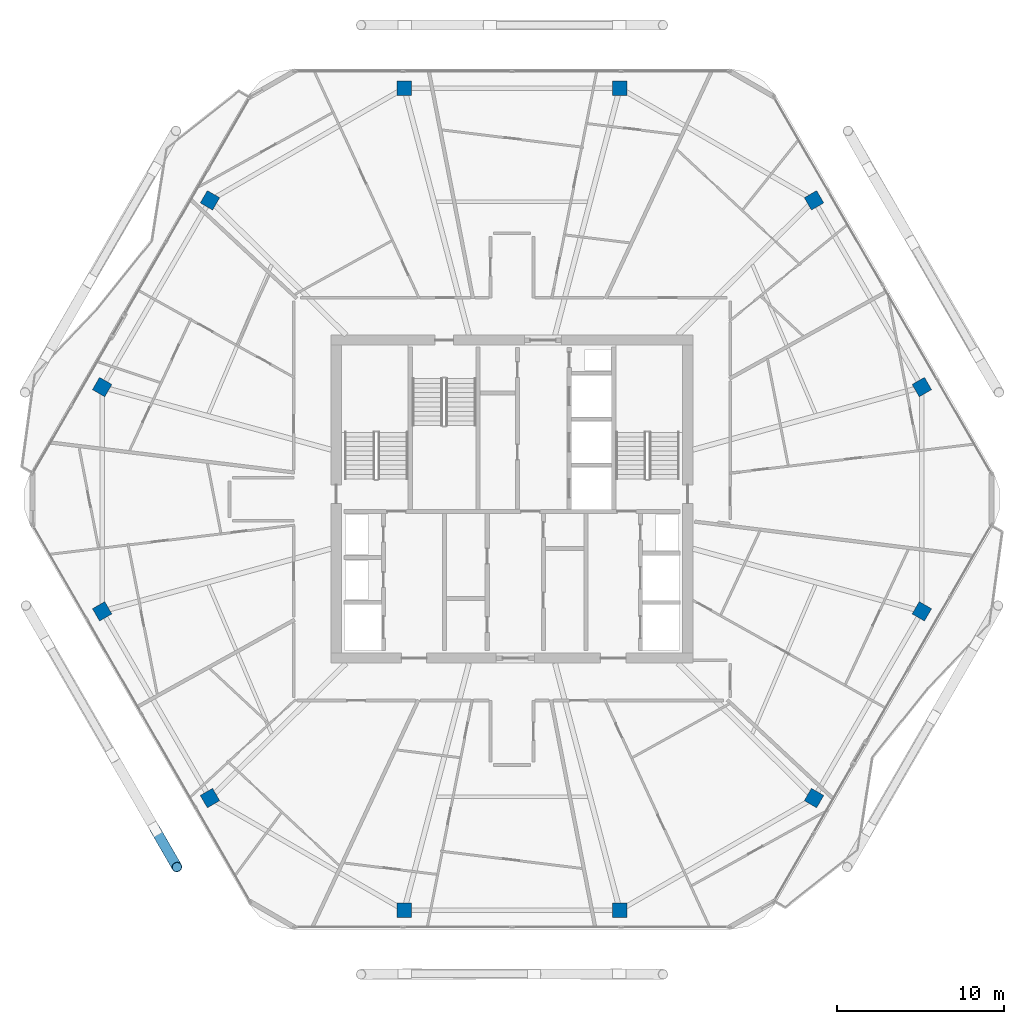
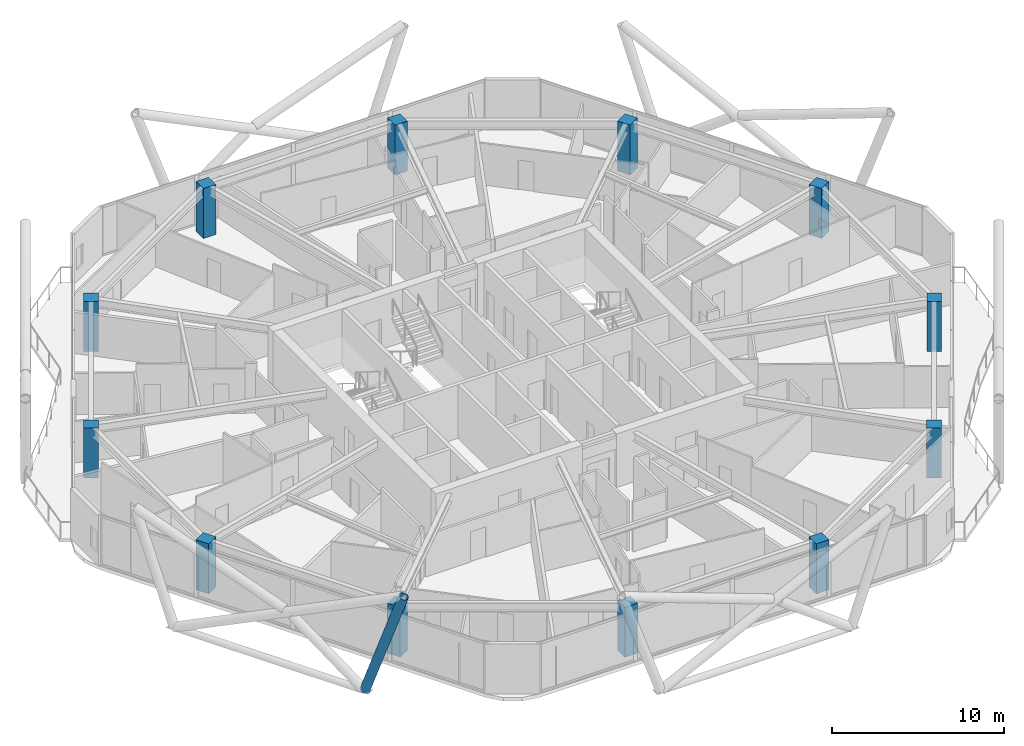
# One storey, part 1 of 29: 12 columns, 1 member.
"""IFC4 building model written with IfcOpenShell, lengths in metres."""

from ifc_helpers import new_model, si_unit, direction, frame, origin, origin_2d, place, context, subcontext, project, spatial, rectangle, hollow_circle, extrude, material, material_profile, profile_set, type_object, element, save


model = new_model("IFC4")

# Units and contexts
model_context = context("Model", 3, precision=1e-05, world=origin(), true_north=direction((0.0, 1.0)))
body_context = subcontext(model_context, "Body", "Model", "MODEL_VIEW")
ifc_project = project(units=[si_unit("LENGTHUNIT", "METRE"), si_unit("AREAUNIT", "SQUARE_METRE"), si_unit("VOLUMEUNIT", "CUBIC_METRE"), si_unit("PLANEANGLEUNIT", "RADIAN"), si_unit("MASSUNIT", "GRAM", prefix="KILO")], contexts=[model_context])

# Site, building, storey
site_placement = place(None, origin())
site = spatial("IfcSite", under=ifc_project, at=site_placement, CompositionType="ELEMENT")
building_placement = place(site_placement, origin())
building = spatial("IfcBuilding", under=site, at=building_placement, Name="Zuhravey Tower", CompositionType="ELEMENT")
storey_placement = place(building_placement, frame((0.0, 0.0, 269.199951171875)))
storey = spatial("IfcBuildingStorey", under=building, at=storey_placement, Name="L68", CompositionType="ELEMENT", Elevation=269.199951171875)

# Columns
ifc_material_1 = material(Name="Concrete C50/60", Category="concrete")
ifc_material_profile_1 = material_profile(ifc_material_1, rectangle(XDim=0.85009765625, YDim=0.85009765625, at=origin_2d()), Name="RC-850x850")
ifc_profile_set_1 = profile_set([ifc_material_profile_1], Name="Concrete C50/60")
column_type = type_object("IfcColumnType", Name="Zone 3 Upper Column 850x850", PredefinedType="COLUMN", material=ifc_profile_set_1)
for number, where, z_axis, x_axis, name in (
    (1, (60.484619140625, 38.698974609375, 0.0), (0.0, 0.0, 1.0), (-0.5, 0.866025403784, 0.0), "L68 Perimeter Column PC01"),
    (2, (54.043701171875, 49.854736328125, 0.0), (0.0, 0.0, 1.0), (-0.5, 0.866025403784, 0.0), "L68 Perimeter Column PC02"),
    (3, (42.44091796875, 56.5537109375, 0.0), (0.0, 0.0, 1.0), (-1.0, 0.0, 0.0), "L68 Perimeter Column PC03"),
    (4, (29.55908203125, 56.5537109375, 0.0), (0.0, 0.0, 1.0), (-1.0, 0.0, 0.0), "L68 Perimeter Column PC04"),
    (5, (17.956298828125, 49.854736328125, 0.0), (0.0, 0.0, 1.0), (-0.5, -0.866025403784, 0.0), "L68 Perimeter Column PC05"),
    (6, (11.515380859375, 38.698974609375, 0.0), (0.0, 0.0, 1.0), (-0.5, -0.866025403784, 0.0), "L68 Perimeter Column PC06"),
    (7, (11.515380859375, 25.301025390625, 0.0), (0.0, 0.0, 1.0), (0.5, -0.866025403784, 0.0), "L68 Perimeter Column PC07"),
    (8, (17.956298828125, 14.145263671875, 0.0), (0.0, 0.0, 1.0), (0.5, -0.866025403784, 0.0), "L68 Perimeter Column PC08"),
    (9, (29.55908203125, 7.4462890625, 0.0), (0.0, 0.0, 1.0), (1.0, 0.0, 0.0), "L68 Perimeter Column PC09"),
    (10, (42.44091796875, 7.4462890625, 0.0), (0.0, 0.0, 1.0), (1.0, 0.0, 0.0), "L68 Perimeter Column PC10"),
    (11, (54.043701171875, 14.145263671875, 0.0), (0.0, 0.0, 1.0), (0.5, 0.866025403784, 0.0), "L68 Perimeter Column PC11"),
    (12, (60.484619140625, 25.301025390625, 0.0), (0.0, 0.0, 1.0), (0.5, 0.866025403784, 0.0), "L68 Perimeter Column PC12"),
):
    element("IfcColumn", number, at=place(storey_placement, frame(where, z_axis=z_axis, x_axis=x_axis)), inside=storey, type_object=column_type, Name=name, PredefinedType="COLUMN", context=body_context, shape_type="SweptSolid", body=[
        extrude(rectangle(XDim=0.85009765625, YDim=0.85009765625, at=origin_2d()), origin(), (0.0, 0.0, 1.0), 3.550048828125),
    ])

# Member
ifc_material_2 = material(Name="Steel SM355", Category="steel")
ifc_material_profile_2 = material_profile(ifc_material_2, hollow_circle(Radius=0.3046875, WallThickness=0.028076171875, at=origin_2d()), Name="CHS-609.6x28")
ifc_profile_set_2 = profile_set([ifc_material_profile_2], Name="Steel SM355")
member_type = type_object("IfcMemberType", Name="Exoskeleton Zone 3 Diagrid CHS610x28", PredefinedType="BRACE", material=ifc_profile_set_2)
member_placement = place(storey_placement, frame((14.677978515625, 12.28369140625, -0.446044921875), z_axis=(0.163024515217, -0.282386653254, 0.94534691278), x_axis=(0.866040668696, 0.499973559465, 0.0)))
element("IfcMember", 13, at=member_placement, inside=storey, type_object=member_type, Name="L68 Face 4 Diagrid Brace 4", PredefinedType="BRACE", context=body_context, shape_type="SweptSolid", body=[
    extrude(hollow_circle(Radius=0.3046875, WallThickness=0.028076171875, at=origin_2d()), origin(), (0.0, 0.0, 1.0), 8.00146484375),
])

save(model, "model.ifc")
